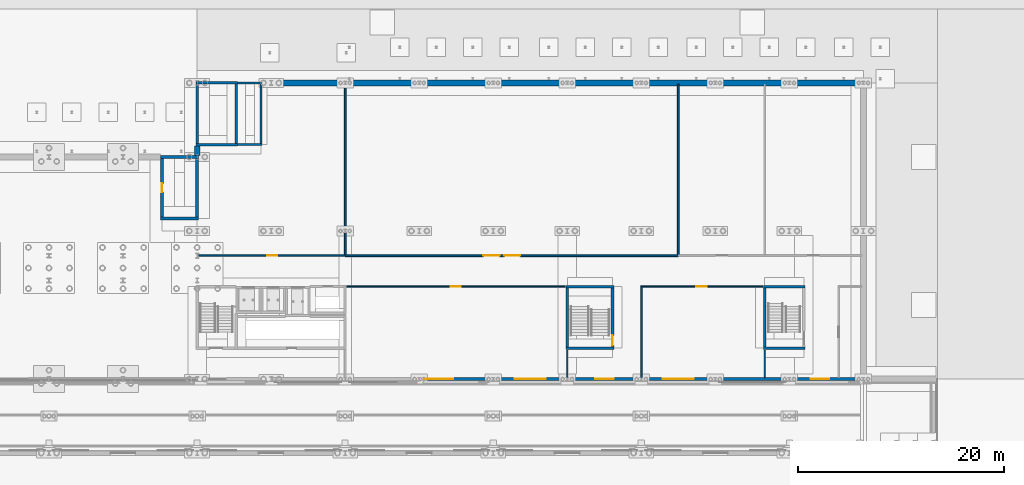
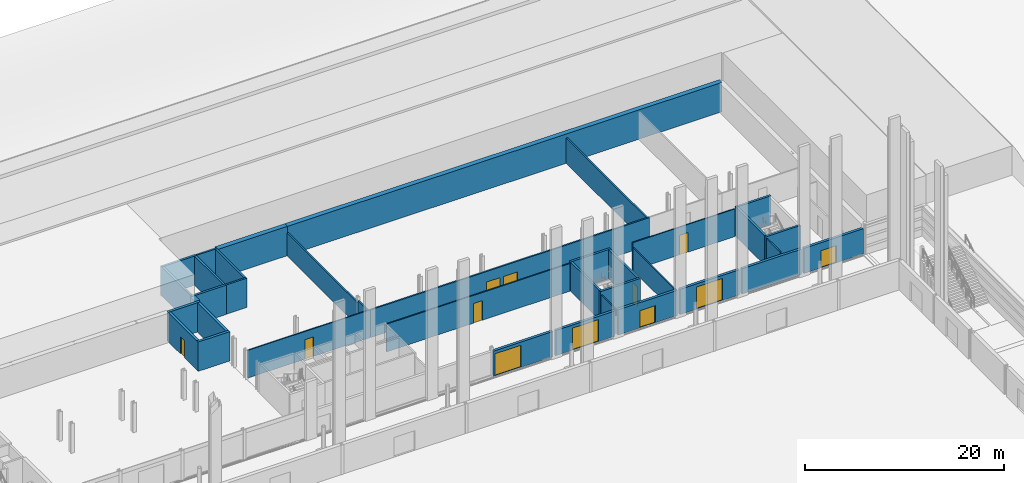
# One storey, part 91 of 148: 37 walls, 12 doors, 12 openings.
"""IFC4 building model written with IfcOpenShell, lengths in metres."""

import ifcopenshell
import ifcopenshell.guid

model = None  # the IFC model being written
_history = None  # IfcOwnerHistory: only IFC2X3 demands one
_inside = {}  # id of a spatial element -> (the spatial element, [elements in it])
_under = {}  # id of a project, library or spatial element -> (it, [spatial elements below it])
_declared = {}  # id of a project -> (the project, [libraries it declares])
_typed = {}  # id of a type object -> (the type object, [elements of that type])
_made_of = {}  # id of a material, layer set ... -> (it, [elements and type objects made of it])


def new_model(schema):
    """Start an empty IFC model of exactly this schema.

    Asked for "IFC4X3", IfcOpenShell would pick the latest addendum, in which some entities
    have other attributes; the version numbers below select the first issue.
    IFC2X3 requires an IfcOwnerHistory on every rooted entity: one is made here for all.
    """
    global model, _history
    if schema == "IFC4X3":
        model = ifcopenshell.file(schema_version=(4, 3, 0, 0))
    else:
        model = ifcopenshell.file(schema=schema)
    _inside.clear()
    _under.clear()
    _declared.clear()
    _typed.clear()
    _made_of.clear()
    _history = None
    if model.schema == "IFC2X3":
        org = make("IfcOrganization", Name="unknown")
        user = make(
            "IfcPersonAndOrganization",
            ThePerson=make("IfcPerson", FamilyName="unknown"),
            TheOrganization=org,
        )
        app = make(
            "IfcApplication",
            ApplicationDeveloper=org,
            Version="unknown",
            ApplicationFullName="unknown",
            ApplicationIdentifier="unknown",
        )
        _history = make(
            "IfcOwnerHistory",
            OwningUser=user,
            OwningApplication=app,
            ChangeAction="ADDED",
            CreationDate=0,
        )
    return model


def make(cls, **values):
    """One entity of the class cls with the attributes given. An attribute that is None is left unset."""
    return model.create_entity(
        cls, **{name: value for name, value in values.items() if value is not None}
    )


def rooted(cls, **values):
    """An entity with a GlobalId (a new one), such as an element, a storey or a relation."""
    return make(cls, GlobalId=ifcopenshell.guid.new(), OwnerHistory=_history, **values)


def si_unit(unit_type, name, prefix=None):
    """IfcSIUnit, for example si_unit("LENGTHUNIT", "METRE", prefix="MILLI")."""
    return make("IfcSIUnit", UnitType=unit_type, Prefix=prefix, Name=name)


def assignment(units):
    """IfcUnitAssignment: the units of a project."""
    return None if units is None else make("IfcUnitAssignment", Units=units)


def point(xyz):
    """IfcCartesianPoint."""
    return None if xyz is None else make("IfcCartesianPoint", Coordinates=xyz)


def direction(xyz):
    """IfcDirection."""
    return None if xyz is None else make("IfcDirection", DirectionRatios=xyz)


def frame(location, z_axis=None, x_axis=None):
    """IfcAxis2Placement3D, a coordinate frame: its origin and axes. An axis left out is left unset."""
    return make(
        "IfcAxis2Placement3D",
        Location=point(location),
        Axis=direction(z_axis),
        RefDirection=direction(x_axis),
    )


def frame_2d(location, x_axis=None):
    """IfcAxis2Placement2D, a coordinate frame in the plane: its origin and x axis."""
    return make(
        "IfcAxis2Placement2D", Location=point(location), RefDirection=direction(x_axis)
    )


def origin():
    """The frame at (0, 0, 0) with its axes left unset."""
    return frame((0.0, 0.0, 0.0))


def place(relative_to, where):
    """IfcLocalPlacement: puts the frame where relative to a parent placement (None: the world)."""
    return make(
        "IfcLocalPlacement", PlacementRelTo=relative_to, RelativePlacement=where
    )


def context(
    kind, dimensions, precision=None, world=None, true_north=None, identifier=None
):
    """IfcGeometricRepresentationContext, for example the 3D "Model" context."""
    return make(
        "IfcGeometricRepresentationContext",
        ContextIdentifier=identifier,
        ContextType=kind,
        CoordinateSpaceDimension=dimensions,
        Precision=precision,
        WorldCoordinateSystem=world,
        TrueNorth=true_north,
    )


def subcontext(parent, identifier, kind, view, scale=None):
    """IfcGeometricRepresentationSubContext, for example "Body" below "Model"."""
    return make(
        "IfcGeometricRepresentationSubContext",
        ContextIdentifier=identifier,
        ContextType=kind,
        ParentContext=parent,
        TargetScale=scale,
        TargetView=view,
    )


def project(units=None, contexts=None):
    """IfcProject with its units and contexts."""
    return rooted(
        "IfcProject",
        Name="project",
        RepresentationContexts=contexts,
        UnitsInContext=assignment(units),
    )


def spatial(cls, under=None, at=None, **own):
    """A site, building, storey or space (cls), placed at a placement, below another one or the project."""
    s = rooted(cls, ObjectPlacement=at, **own)
    if under is not None:
        _under.setdefault(under.id(), (under, []))[1].append(s)
    return s


def profile(cls, at=None, kind="AREA", **sizes):
    """A parametric profile (cls). Its sizes go by their IFC names, for example OverallWidth=200.0."""
    return make(cls, ProfileType=kind, Position=at, **sizes)


def rectangle(**sizes):
    """IfcRectangleProfileDef."""
    return profile("IfcRectangleProfileDef", **sizes)


def extrude(swept, where, along, depth):
    """IfcExtrudedAreaSolid: the profile swept, set in the frame where, extruded along a direction by depth."""
    return make(
        "IfcExtrudedAreaSolid",
        SweptArea=swept,
        Position=where,
        ExtrudedDirection=direction(along),
        Depth=depth,
    )


def shape(context_of_items, identifier, shape_type, items):
    """IfcShapeRepresentation: the items that make up one representation, for example the "Body"."""
    return make(
        "IfcShapeRepresentation",
        ContextOfItems=context_of_items,
        RepresentationIdentifier=identifier,
        RepresentationType=shape_type,
        Items=items,
    )


def material(Name=None, Category=None):
    """IfcMaterial."""
    return make("IfcMaterial", Name=Name, Category=Category)


def layer(
    of_material, thickness, ventilated=None, Name=None, Category=None, Priority=None
):
    """IfcMaterialLayer: one layer of a wall or slab, of a material (None: an air gap)."""
    return make(
        "IfcMaterialLayer",
        Material=of_material,
        LayerThickness=thickness,
        IsVentilated=ventilated,
        Name=Name,
        Category=Category,
        Priority=Priority,
    )


def layer_set(layers, Name=None):
    """IfcMaterialLayerSet."""
    return make("IfcMaterialLayerSet", MaterialLayers=layers, LayerSetName=Name)


def made_of(thing, what):
    """Note that an element or type object is made of a material, layer set ...; save() writes the relation."""
    if what is not None:
        _made_of.setdefault(what.id(), (what, []))[1].append(thing)
    return thing


def type_object(cls, material=None, **own):
    """A type object (cls), such as IfcWallType, which elements share."""
    return made_of(rooted(cls, **own), material)


def element(
    cls,
    number,
    at=None,
    inside=None,
    cuts=None,
    type_object=None,
    material=None,
    context=None,
    identifier="Body",
    shape_type=None,
    held_by="IfcProductDefinitionShape",
    body=None,
    shapes=None,
    **own,
):
    """One element of the class cls, such as IfcWall. Its Tag is "e" and its number.

    at: its placement. inside: the storey or other place that contains it. cuts: it is an
    opening in that element (IfcRelVoidsElement). A single representation is given by context,
    identifier, shape_type and body (its items); several are given by shapes. held_by: the class
    of the entity that holds the representations. save() writes the other relations.
    """
    e = rooted(cls, Tag="e%d" % number, ObjectPlacement=at, **own)
    if body is not None:
        shapes = [shape(context, identifier, shape_type, body)]
    if shapes is not None:
        e.Representation = make(held_by, Representations=shapes)
    if inside is not None:
        _inside.setdefault(inside.id(), (inside, []))[1].append(e)
    if cuts is not None:
        rooted(
            "IfcRelVoidsElement", RelatingBuildingElement=cuts, RelatedOpeningElement=e
        )
    if type_object is not None:
        _typed.setdefault(type_object.id(), (type_object, []))[1].append(e)
    return made_of(e, material)


def fill(opening, filler):
    """IfcRelFillsElement: the door or window that sits in an opening."""
    return rooted(
        "IfcRelFillsElement",
        RelatingOpeningElement=opening,
        RelatedBuildingElement=filler,
    )


def aggregate(whole, parts):
    """IfcRelAggregates: a whole, such as a stair, and the parts it consists of."""
    return rooted("IfcRelAggregates", RelatingObject=whole, RelatedObjects=parts)


def save(model, path):
    """Write the relations noted so far, then the file.

    IfcRelAggregates (storeys below a building ...), IfcRelContainedInSpatialStructure (elements
    in a storey), IfcRelDefinesByType, IfcRelAssociatesMaterial and IfcRelDeclares: one each for
    every whole, place, type object, material and project.
    """
    for whole, parts in _under.values():
        aggregate(whole, parts)
    for where, things in _inside.values():
        rooted(
            "IfcRelContainedInSpatialStructure",
            RelatedElements=things,
            RelatingStructure=where,
        )
    for kind, things in _typed.values():
        rooted("IfcRelDefinesByType", RelatedObjects=things, RelatingType=kind)
    for what, things in _made_of.values():
        rooted("IfcRelAssociatesMaterial", RelatedObjects=things, RelatingMaterial=what)
    for by, libraries in _declared.values():
        rooted("IfcRelDeclares", RelatingContext=by, RelatedDefinitions=libraries)
    model.write(path)


model = new_model("IFC4")

# Units and contexts
model_context = context("Model", 3, precision=1e-05, world=origin(), true_north=direction((0.0, 1.0)))
body_context = subcontext(model_context, "Body", "Model", "MODEL_VIEW")
ifc_project = project(units=[si_unit("LENGTHUNIT", "METRE"), si_unit("AREAUNIT", "SQUARE_METRE"), si_unit("VOLUMEUNIT", "CUBIC_METRE"), si_unit("PLANEANGLEUNIT", "RADIAN"), si_unit("MASSUNIT", "GRAM", prefix="KILO")], contexts=[model_context])

# Site, building, storey
site_placement = place(None, origin())
site = spatial("IfcSite", under=ifc_project, at=site_placement, CompositionType="ELEMENT")
building_placement = place(site_placement, origin())
building = spatial("IfcBuilding", under=site, at=building_placement, Name="Kupolbacken Congress Centre", CompositionType="ELEMENT")
storey_placement = place(building_placement, origin())
storey = spatial("IfcBuildingStorey", under=building, at=storey_placement, Name="L00", CompositionType="ELEMENT", Elevation=0.0)

# Wall, opening, door
ifc_material_1 = material(Name="Limestone", Category="masonry")
ifc_layer_1 = layer(ifc_material_1, 0.06005859375)
ifc_material_2 = material(Name="Air cavity", Category="air")
ifc_layer_2 = layer(ifc_material_2, 0.0400390625, ventilated=True)
ifc_material_3 = material(Name="Mineral wool", Category="insulation")
ifc_layer_3 = layer(ifc_material_3, 0.14990234375)
ifc_material_4 = material(Name="Steel studs", Category="metal")
ifc_layer_4 = layer(ifc_material_4, 0.050048828125)
ifc_layer_set_1 = layer_set([ifc_layer_1, ifc_layer_2, ifc_layer_3, ifc_layer_4], Name="Limestone / Mineral wool / Steel studs")
wall_type_1 = type_object("IfcWallType", Name="EW01 external cavity wall 300", PredefinedType="SOLIDWALL", material=ifc_layer_set_1)
wall_1_placement = place(storey_placement, frame((158.550048828125, 122.39990234375, 0.0), z_axis=(0.0, 0.0, 1.0), x_axis=(1.0, 0.0, 0.0)))
wall_1 = element("IfcWall", 1, at=wall_1_placement, inside=storey, type_object=wall_type_1, Name="E/B/S/L00/010", PredefinedType="SOLIDWALL", context=body_context, shape_type="SweptSolid", body=[
    extrude(rectangle(XDim=6.89990234375, YDim=0.300048828125, at=frame_2d((3.449951171875, 0.0))), origin(), (0.0, 0.0, 1.0), 3.10009765625),
])
opening_1_placement = place(wall_1_placement, frame((0.14990234375, 0.0, 0.014892578125)))
opening_1 = element("IfcOpeningElement", 2, at=opening_1_placement, cuts=wall_1, Name="Opening D19", PredefinedType="OPENING", context=body_context, shape_type="SweptSolid", body=[
    extrude(rectangle(XDim=3.0, YDim=2.699951171875, at=frame_2d((1.5, 1.35009765625))), frame((0.0, 0.159912109375, 0.0), z_axis=(0.0, -1.0, 0.0), x_axis=(1.0, 0.0, 0.0)), (0.0, 0.0, 1.0), 0.320068359375),
])
ifc_material_5 = material(Name="Timber door leaf", Category="wood")
door_type_1 = type_object("IfcDoorType", Name="D19 door 2700x2700", OperationType="DOUBLE_DOOR_SINGLE_SWING", PredefinedType="DOOR", material=ifc_material_5)
door_1_placement = place(opening_1_placement, frame((3.0, 0.0, 0.0), z_axis=(0.0, 0.0, 1.0), x_axis=(-1.0, 0.0, 0.0)))
door_1 = element("IfcDoor", 3, at=door_1_placement, inside=storey, type_object=door_type_1, Name="Kitchen delivery door K1", OperationType="DOUBLE_DOOR_SINGLE_SWING", OverallHeight=2.699951171875, OverallWidth=3.0, PredefinedType="DOOR", context=body_context, shape_type="SweptSolid", body=[
    extrude(rectangle(XDim=3.0, YDim=2.699951171875, at=frame_2d((1.5, 1.35009765625))), frame((0.0, 0.02490234375, 0.0), z_axis=(0.0, -1.0, 0.0), x_axis=(1.0, 0.0, 0.0)), (0.0, 0.0, 1.0), 0.050048828125),
])
fill(opening_1, door_1)

wall_2_placement = place(storey_placement, frame((165.75, 122.39990234375, 0.0), z_axis=(0.0, 0.0, 1.0), x_axis=(1.0, 0.0, 0.0)))
wall_2 = element("IfcWall", 4, at=wall_2_placement, inside=storey, type_object=wall_type_1, Name="E/B/S/L00/011", PredefinedType="SOLIDWALL", context=body_context, shape_type="SweptSolid", body=[
    extrude(rectangle(XDim=6.89990234375, YDim=0.300048828125, at=frame_2d((3.449951171875, 0.0))), origin(), (0.0, 0.0, 1.0), 3.10009765625),
])
opening_2_placement = place(wall_2_placement, frame((1.949951171875, 0.0, 0.014892578125)))
opening_2 = element("IfcOpeningElement", 5, at=opening_2_placement, cuts=wall_2, Name="Opening D19", PredefinedType="OPENING", context=body_context, shape_type="SweptSolid", body=[
    extrude(rectangle(XDim=3.0, YDim=2.699951171875, at=frame_2d((1.5, 1.35009765625))), frame((0.0, 0.159912109375, 0.0), z_axis=(0.0, -1.0, 0.0), x_axis=(1.0, 0.0, 0.0)), (0.0, 0.0, 1.0), 0.320068359375),
])
door_2_placement = place(opening_2_placement, frame((3.0, 0.0, 0.0), z_axis=(0.0, 0.0, 1.0), x_axis=(-1.0, 0.0, 0.0)))
door_2 = element("IfcDoor", 6, at=door_2_placement, inside=storey, type_object=door_type_1, Name="Kitchen delivery door K2", OperationType="DOUBLE_DOOR_SINGLE_SWING", OverallHeight=2.699951171875, OverallWidth=3.0, PredefinedType="DOOR", context=body_context, shape_type="SweptSolid", body=[
    extrude(rectangle(XDim=3.0, YDim=2.699951171875, at=frame_2d((1.5, 1.35009765625))), frame((0.0, 0.02490234375, 0.0), z_axis=(0.0, -1.0, 0.0), x_axis=(1.0, 0.0, 0.0)), (0.0, 0.0, 1.0), 0.050048828125),
])
fill(opening_2, door_2)

wall_3_placement = place(storey_placement, frame((172.949951171875, 122.39990234375, 0.0), z_axis=(0.0, 0.0, 1.0), x_axis=(1.0, 0.0, 0.0)))
wall_3 = element("IfcWall", 7, at=wall_3_placement, inside=storey, type_object=wall_type_1, Name="E/B/S/L00/012", PredefinedType="SOLIDWALL", context=body_context, shape_type="SweptSolid", body=[
    extrude(rectangle(XDim=6.900146484375, YDim=0.300048828125, at=frame_2d((3.4501953125, 0.0))), origin(), (0.0, 0.0, 1.0), 3.10009765625),
])
opening_3_placement = place(wall_3_placement, frame((2.550048828125, 0.0, 0.014892578125)))
opening_3 = element("IfcOpeningElement", 8, at=opening_3_placement, cuts=wall_3, Name="Opening D48", PredefinedType="OPENING", context=body_context, shape_type="SweptSolid", body=[
    extrude(rectangle(XDim=1.800048828125, YDim=2.10009765625, at=frame_2d((0.89990234375, 1.050048828125))), frame((0.0, 0.159912109375, 0.0), z_axis=(0.0, -1.0, 0.0), x_axis=(1.0, 0.0, 0.0)), (0.0, 0.0, 1.0), 0.320068359375),
])
ifc_material_6 = material(Name="Steel fire door leaf", Category="steel")
door_type_2 = type_object("IfcDoorType", Name="D48 stair door 1800x2100 with 15 mm threshold", OperationType="DOUBLE_DOOR_SINGLE_SWING", PredefinedType="DOOR", material=ifc_material_6)
door_3_placement = place(opening_3_placement, frame((1.800048828125, 0.0, 0.0), z_axis=(0.0, 0.0, 1.0), x_axis=(-1.0, 0.0, 0.0)))
door_3 = element("IfcDoor", 9, at=door_3_placement, inside=storey, type_object=door_type_2, Name="Final exit X8", OperationType="DOUBLE_DOOR_SINGLE_SWING", OverallHeight=2.10009765625, OverallWidth=1.800048828125, PredefinedType="DOOR", context=body_context, shape_type="SweptSolid", body=[
    extrude(rectangle(XDim=1.800048828125, YDim=2.10009765625, at=frame_2d((0.89990234375, 1.050048828125))), frame((0.0, 0.02490234375, 0.0), z_axis=(0.0, -1.0, 0.0), x_axis=(1.0, 0.0, 0.0)), (0.0, 0.0, 1.0), 0.050048828125),
])
fill(opening_3, door_3)

wall_4_placement = place(storey_placement, frame((180.14990234375, 122.39990234375, 0.0), z_axis=(0.0, 0.0, 1.0), x_axis=(1.0, 0.0, 0.0)))
wall_4 = element("IfcWall", 10, at=wall_4_placement, inside=storey, type_object=wall_type_1, Name="E/B/S/L00/013", PredefinedType="SOLIDWALL", context=body_context, shape_type="SweptSolid", body=[
    extrude(rectangle(XDim=6.900146484375, YDim=0.300048828125, at=frame_2d((3.4501953125, 0.0))), origin(), (0.0, 0.0, 1.0), 3.10009765625),
])
opening_4_placement = place(wall_4_placement, frame((1.949951171875, 0.0, 0.014892578125)))
opening_4 = element("IfcOpeningElement", 11, at=opening_4_placement, cuts=wall_4, Name="Opening D19", PredefinedType="OPENING", context=body_context, shape_type="SweptSolid", body=[
    extrude(rectangle(XDim=3.0, YDim=2.699951171875, at=frame_2d((1.5, 1.35009765625))), frame((0.0, 0.159912109375, 0.0), z_axis=(0.0, -1.0, 0.0), x_axis=(1.0, 0.0, 0.0)), (0.0, 0.0, 1.0), 0.320068359375),
])
door_4_placement = place(opening_4_placement, frame((3.0, 0.0, 0.0), z_axis=(0.0, 0.0, 1.0), x_axis=(-1.0, 0.0, 0.0)))
door_4 = element("IfcDoor", 12, at=door_4_placement, inside=storey, type_object=door_type_1, Name="Kitchen delivery door K3", OperationType="DOUBLE_DOOR_SINGLE_SWING", OverallHeight=2.699951171875, OverallWidth=3.0, PredefinedType="DOOR", context=body_context, shape_type="SweptSolid", body=[
    extrude(rectangle(XDim=3.0, YDim=2.699951171875, at=frame_2d((1.5, 1.35009765625))), frame((0.0, 0.02490234375, 0.0), z_axis=(0.0, -1.0, 0.0), x_axis=(1.0, 0.0, 0.0)), (0.0, 0.0, 1.0), 0.050048828125),
])
fill(opening_4, door_4)

# Wall
wall_5_placement = place(storey_placement, frame((187.35009765625, 122.39990234375, 0.0), z_axis=(0.0, 0.0, 1.0), x_axis=(1.0, 0.0, 0.0)))
element("IfcWall", 13, at=wall_5_placement, inside=storey, type_object=wall_type_1, Name="E/B/S/L00/014", PredefinedType="SOLIDWALL", context=body_context, shape_type="SweptSolid", body=[
    extrude(rectangle(XDim=6.89990234375, YDim=0.300048828125, at=frame_2d((3.449951171875, 0.0))), origin(), (0.0, 0.0, 1.0), 3.10009765625),
])

# Wall, opening, door
wall_6_placement = place(storey_placement, frame((194.550048828125, 122.39990234375, 0.0), z_axis=(0.0, 0.0, 1.0), x_axis=(1.0, 0.0, 0.0)))
wall_6 = element("IfcWall", 14, at=wall_6_placement, inside=storey, type_object=wall_type_1, Name="E/B/S/L00/015", PredefinedType="SOLIDWALL", context=body_context, shape_type="SweptSolid", body=[
    extrude(rectangle(XDim=6.89990234375, YDim=0.300048828125, at=frame_2d((3.449951171875, 0.0))), origin(), (0.0, 0.0, 1.0), 3.10009765625),
])
opening_5_placement = place(wall_6_placement, frame((1.949951171875, 0.0, 0.014892578125)))
opening_5 = element("IfcOpeningElement", 15, at=opening_5_placement, cuts=wall_6, Name="Opening D48", PredefinedType="OPENING", context=body_context, shape_type="SweptSolid", body=[
    extrude(rectangle(XDim=1.800048828125, YDim=2.10009765625, at=frame_2d((0.89990234375, 1.050048828125))), frame((0.0, 0.159912109375, 0.0), z_axis=(0.0, -1.0, 0.0), x_axis=(1.0, 0.0, 0.0)), (0.0, 0.0, 1.0), 0.320068359375),
])
door_5_placement = place(opening_5_placement, frame((1.800048828125, 0.0, 0.0), z_axis=(0.0, 0.0, 1.0), x_axis=(-1.0, 0.0, 0.0)))
door_5 = element("IfcDoor", 16, at=door_5_placement, inside=storey, type_object=door_type_2, Name="Final exit X7", OperationType="DOUBLE_DOOR_SINGLE_SWING", OverallHeight=2.10009765625, OverallWidth=1.800048828125, PredefinedType="DOOR", context=body_context, shape_type="SweptSolid", body=[
    extrude(rectangle(XDim=1.800048828125, YDim=2.10009765625, at=frame_2d((0.89990234375, 1.050048828125))), frame((0.0, 0.02490234375, 0.0), z_axis=(0.0, -1.0, 0.0), x_axis=(1.0, 0.0, 0.0)), (0.0, 0.0, 1.0), 0.050048828125),
])
fill(opening_5, door_5)

# Walls
ifc_material_7 = material(Name="Gypsum board", Category="drywall")
ifc_layer_5 = layer(ifc_material_7, 0.135009765625)
ifc_layer_set_2 = layer_set([ifc_layer_5], Name="Gypsum board")
wall_type_2 = type_object("IfcWallType", Name="P06 compartment wall 135", PredefinedType="PARTITIONING", material=ifc_layer_set_2)
wall_7_placement = place(storey_placement, frame((192.0, 122.550048828125, 0.0), z_axis=(0.0, 0.0, 1.0), x_axis=(0.0, 1.0, 0.0)))
element("IfcWall", 17, at=wall_7_placement, inside=storey, type_object=wall_type_2, Name="PD/L00/W024", PredefinedType="PARTITIONING", context=body_context, shape_type="SweptSolid", body=[
    extrude(rectangle(XDim=2.6650390625, YDim=0.135009765625, at=frame_2d((1.33251953125, 0.0))), origin(), (0.0, 0.0, 1.0), 3.39990234375),
])
wall_8_placement = place(storey_placement, frame((172.800048828125, 122.550048828125, 0.0), z_axis=(0.0, 0.0, 1.0), x_axis=(0.0, 1.0, 0.0)))
element("IfcWall", 18, at=wall_8_placement, inside=storey, type_object=wall_type_2, Name="PD/L00/W026", PredefinedType="PARTITIONING", context=body_context, shape_type="SweptSolid", body=[
    extrude(rectangle(XDim=2.6650390625, YDim=0.135009765625, at=frame_2d((1.33251953125, 0.0))), origin(), (0.0, 0.0, 1.0), 3.198974609375),
])
wall_9_placement = place(storey_placement, frame((180.0, 131.33251953125, 0.0), z_axis=(0.0, 0.0, 1.0), x_axis=(0.0, -1.0, 0.0)))
element("IfcWall", 19, at=wall_9_placement, inside=storey, type_object=wall_type_2, Name="PD/L00/W027", PredefinedType="PARTITIONING", context=body_context, shape_type="SweptSolid", body=[
    extrude(rectangle(XDim=8.782470703125, YDim=0.135009765625, at=frame_2d((4.39111328125, 0.0))), origin(), (0.0, 0.0, 1.0), 2.800048828125),
])

# Wall, opening, door
wall_10_placement = place(storey_placement, frame((136.949951171875, 134.39990234375, 0.0), z_axis=(0.0, 0.0, 1.0), x_axis=(1.0, 0.0, 0.0)))
wall_10 = element("IfcWall", 20, at=wall_10_placement, inside=storey, type_object=wall_type_2, Name="PD/L00/W123", PredefinedType="PARTITIONING", context=body_context, shape_type="SweptSolid", body=[
    extrude(rectangle(XDim=14.25, YDim=0.135009765625, at=frame_2d((7.125, 0.0))), origin(), (0.0, 0.0, 1.0), 3.39990234375),
])
opening_6_placement = place(wall_10_placement, frame((6.64990234375, 0.0, 0.0)))
opening_6 = element("IfcOpeningElement", 21, at=opening_6_placement, cuts=wall_10, Name="Opening 0.G04", PredefinedType="OPENING", context=body_context, shape_type="SweptSolid", body=[
    extrude(rectangle(XDim=1.0, YDim=2.39990234375, at=frame_2d((0.5, 1.199951171875))), frame((0.0, 0.077392578125, 0.0), z_axis=(0.0, -1.0, 0.0), x_axis=(1.0, 0.0, 0.0)), (0.0, 0.0, 1.0), 0.155029296875),
])
ifc_material_8 = material(Name="Steel fire door leaf", Category="steel")
door_type_3 = type_object("IfcDoorType", Name="D8 fire door 1000x2400", OperationType="SINGLE_SWING_LEFT", PredefinedType="DOOR", material=ifc_material_8)
door_6_placement = place(opening_6_placement, origin())
door_6 = element("IfcDoor", 22, at=door_6_placement, inside=storey, type_object=door_type_3, Name="PD/L00/W123/D0G04", OperationType="SINGLE_SWING_LEFT", OverallHeight=2.39990234375, OverallWidth=1.0, PredefinedType="DOOR", context=body_context, shape_type="SweptSolid", body=[
    extrude(rectangle(XDim=1.0, YDim=2.39990234375, at=frame_2d((0.5, 1.199951171875))), frame((0.0, 0.02490234375, 0.0), z_axis=(0.0, -1.0, 0.0), x_axis=(1.0, 0.0, 0.0)), (0.0, 0.0, 1.0), 0.050048828125),
])
fill(opening_6, door_6)

wall_11_placement = place(storey_placement, frame((172.614990234375, 131.39990234375, 0.0), z_axis=(0.0, 0.0, 1.0), x_axis=(-1.0, 0.0, 0.0)))
wall_11 = element("IfcWall", 23, at=wall_11_placement, inside=storey, type_object=wall_type_2, Name="PD/L00/W127", PredefinedType="PARTITIONING", context=body_context, shape_type="SweptSolid", body=[
    extrude(rectangle(XDim=21.2548828125, YDim=0.135009765625, at=frame_2d((10.62744140625, 0.0))), origin(), (0.0, 0.0, 1.0), 3.39990234375),
])
opening_7_placement = place(wall_11_placement, frame((10.14990234375, 0.0, 0.0)))
opening_7 = element("IfcOpeningElement", 24, at=opening_7_placement, cuts=wall_11, Name="Opening 0.B07", PredefinedType="OPENING", context=body_context, shape_type="SweptSolid", body=[
    extrude(rectangle(XDim=1.0, YDim=2.39990234375, at=frame_2d((0.5, 1.199951171875))), frame((0.0, 0.077392578125, 0.0), z_axis=(0.0, -1.0, 0.0), x_axis=(1.0, 0.0, 0.0)), (0.0, 0.0, 1.0), 0.155029296875),
])
door_7_placement = place(opening_7_placement, origin())
door_7 = element("IfcDoor", 25, at=door_7_placement, inside=storey, type_object=door_type_3, Name="PD/L00/W127/D0B07", OperationType="SINGLE_SWING_LEFT", OverallHeight=2.39990234375, OverallWidth=1.0, PredefinedType="DOOR", context=body_context, shape_type="SweptSolid", body=[
    extrude(rectangle(XDim=1.0, YDim=2.39990234375, at=frame_2d((0.5, 1.199951171875))), frame((0.0, 0.02490234375, 0.0), z_axis=(0.0, -1.0, 0.0), x_axis=(1.0, 0.0, 0.0)), (0.0, 0.0, 1.0), 0.050048828125),
])
fill(opening_7, door_7)

wall_12_placement = place(storey_placement, frame((191.81494140625, 131.39990234375, 0.0), z_axis=(0.0, 0.0, 1.0), x_axis=(-1.0, 0.0, 0.0)))
wall_12 = element("IfcWall", 26, at=wall_12_placement, inside=storey, type_object=wall_type_2, Name="PD/L00/W128", PredefinedType="PARTITIONING", context=body_context, shape_type="SweptSolid", body=[
    extrude(rectangle(XDim=11.88232421875, YDim=0.135009765625, at=frame_2d((5.941162109375, 0.0))), origin(), (0.0, 0.0, 1.0), 3.39990234375),
])
opening_8_placement = place(wall_12_placement, frame((5.449951171875, 0.0, 0.0)))
opening_8 = element("IfcOpeningElement", 27, at=opening_8_placement, cuts=wall_12, Name="Opening 0.B08", PredefinedType="OPENING", context=body_context, shape_type="SweptSolid", body=[
    extrude(rectangle(XDim=1.0, YDim=2.39990234375, at=frame_2d((0.5, 1.199951171875))), frame((0.0, 0.077392578125, 0.0), z_axis=(0.0, -1.0, 0.0), x_axis=(1.0, 0.0, 0.0)), (0.0, 0.0, 1.0), 0.155029296875),
])
door_8_placement = place(opening_8_placement, origin())
door_8 = element("IfcDoor", 28, at=door_8_placement, inside=storey, type_object=door_type_3, Name="PD/L00/W128/D0B08", OperationType="SINGLE_SWING_RIGHT", OverallHeight=2.39990234375, OverallWidth=1.0, PredefinedType="DOOR", context=body_context, shape_type="SweptSolid", body=[
    extrude(rectangle(XDim=1.0, YDim=2.39990234375, at=frame_2d((0.5, 1.199951171875))), frame((0.0, 0.02490234375, 0.0), z_axis=(0.0, -1.0, 0.0), x_axis=(1.0, 0.0, 0.0)), (0.0, 0.0, 1.0), 0.050048828125),
])
fill(opening_8, door_8)

# Wall, openings, doors
ifc_material_9 = material(Name="Gypsum board", Category="drywall")
ifc_layer_6 = layer(ifc_material_9, 0.175048828125)
ifc_layer_set_3 = layer_set([ifc_layer_6], Name="Gypsum board")
wall_type_3 = type_object("IfcWallType", Name="P09 partition 175", PredefinedType="PARTITIONING", material=ifc_layer_set_3)
wall_13_placement = place(storey_placement, frame((151.199951171875, 134.39990234375, 0.0), z_axis=(0.0, 0.0, 1.0), x_axis=(1.0, 0.0, 0.0)))
wall_13 = element("IfcWall", 29, at=wall_13_placement, inside=storey, type_object=wall_type_3, Name="PD/L00/W124", PredefinedType="PARTITIONING", context=body_context, shape_type="SweptSolid", body=[
    extrude(rectangle(XDim=32.400146484375, YDim=0.175048828125, at=frame_2d((16.2001953125, 0.0))), origin(), (0.0, 0.0, 1.0), 3.39990234375),
])
opening_9_placement = place(wall_13_placement, frame((15.449951171875, 0.0, 0.0)))
opening_9 = element("IfcOpeningElement", 30, at=opening_9_placement, cuts=wall_13, Name="Opening 0.B03", PredefinedType="OPENING", context=body_context, shape_type="SweptSolid", body=[
    extrude(rectangle(XDim=1.60009765625, YDim=2.10009765625, at=frame_2d((0.800048828125, 1.050048828125))), frame((0.0, 0.097412109375, 0.0), z_axis=(0.0, -1.0, 0.0), x_axis=(1.0, 0.0, 0.0)), (0.0, 0.0, 1.0), 0.195068359375),
])
opening_10_placement = place(wall_13_placement, frame((13.449951171875, 0.0, 0.0)))
opening_10 = element("IfcOpeningElement", 31, at=opening_10_placement, cuts=wall_13, Name="Opening 0.B04", PredefinedType="OPENING", context=body_context, shape_type="SweptSolid", body=[
    extrude(rectangle(XDim=1.60009765625, YDim=2.10009765625, at=frame_2d((0.800048828125, 1.050048828125))), frame((0.0, 0.097412109375, 0.0), z_axis=(0.0, -1.0, 0.0), x_axis=(1.0, 0.0, 0.0)), (0.0, 0.0, 1.0), 0.195068359375),
])
ifc_material_10 = material(Name="Steel fire door leaf", Category="steel")
door_type_4 = type_object("IfcDoorType", Name="D13 fire door 1600x2100", OperationType="DOUBLE_DOOR_SINGLE_SWING", PredefinedType="DOOR", material=ifc_material_10)
door_9_placement = place(opening_9_placement, origin())
door_9 = element("IfcDoor", 32, at=door_9_placement, inside=storey, type_object=door_type_4, Name="PD/L00/W124/D0B03", OperationType="DOUBLE_DOOR_SINGLE_SWING", OverallHeight=2.10009765625, OverallWidth=1.60009765625, PredefinedType="DOOR", context=body_context, shape_type="SweptSolid", body=[
    extrude(rectangle(XDim=1.60009765625, YDim=2.10009765625, at=frame_2d((0.800048828125, 1.050048828125))), frame((0.0, 0.02490234375, 0.0), z_axis=(0.0, -1.0, 0.0), x_axis=(1.0, 0.0, 0.0)), (0.0, 0.0, 1.0), 0.050048828125),
])
fill(opening_9, door_9)
door_10_placement = place(opening_10_placement, origin())
door_10 = element("IfcDoor", 33, at=door_10_placement, inside=storey, type_object=door_type_4, Name="PD/L00/W124/D0B04", OperationType="DOUBLE_DOOR_SINGLE_SWING", OverallHeight=2.10009765625, OverallWidth=1.60009765625, PredefinedType="DOOR", context=body_context, shape_type="SweptSolid", body=[
    extrude(rectangle(XDim=1.60009765625, YDim=2.10009765625, at=frame_2d((0.800048828125, 1.050048828125))), frame((0.0, 0.02490234375, 0.0), z_axis=(0.0, -1.0, 0.0), x_axis=(1.0, 0.0, 0.0)), (0.0, 0.0, 1.0), 0.050048828125),
])
fill(opening_10, door_10)

# Walls
wall_14_placement = place(storey_placement, frame((151.199951171875, 151.050048828125, 0.0), z_axis=(0.0, 0.0, 1.0), x_axis=(0.0, -1.0, 0.0)))
element("IfcWall", 34, at=wall_14_placement, inside=storey, type_object=wall_type_3, Name="PD/L00/W130", PredefinedType="PARTITIONING", context=body_context, shape_type="SweptSolid", body=[
    extrude(rectangle(XDim=14.400146484375, YDim=0.175048828125, at=frame_2d((7.2001953125, 0.0))), origin(), (0.0, 0.0, 1.0), 2.820068359375),
])
wall_15_placement = place(storey_placement, frame((183.60009765625, 151.050048828125, 0.0), z_axis=(0.0, 0.0, 1.0), x_axis=(0.0, -1.0, 0.0)))
element("IfcWall", 35, at=wall_15_placement, inside=storey, type_object=wall_type_3, Name="PD/L00/W131", PredefinedType="PARTITIONING", context=body_context, shape_type="SweptSolid", body=[
    extrude(rectangle(XDim=16.5625, YDim=0.175048828125, at=frame_2d((8.28125, 0.0))), origin(), (0.0, 0.0, 1.0), 3.10009765625),
])
wall_16_placement = place(storey_placement, frame((151.199951171875, 136.64990234375, 0.0), z_axis=(0.0, 0.0, 1.0), x_axis=(0.0, -1.0, 0.0)))
element("IfcWall", 36, at=wall_16_placement, inside=storey, type_object=wall_type_3, Name="PD/L00/W130.h1", PredefinedType="PARTITIONING", context=body_context, shape_type="SweptSolid", body=[
    extrude(rectangle(XDim=2.162353515625, YDim=0.175048828125, at=frame_2d((1.0810546875, 0.0))), origin(), (0.0, 0.0, 1.0), 3.14990234375),
])
ifc_material_11 = material(Name="Concrete C30/37", Category="concrete")
ifc_layer_7 = layer(ifc_material_11, 0.550048828125)
ifc_layer_set_4 = layer_set([ifc_layer_7], Name="Concrete C30/37")
wall_type_4 = type_object("IfcWallType", Name="RW3 retaining wall 550", PredefinedType="SOLIDWALL", material=ifc_layer_set_4)
wall_17_placement = place(storey_placement, frame((151.199951171875, 151.199951171875, 0.0), z_axis=(0.0, 0.0, 1.0), x_axis=(1.0, 0.0, 0.0)))
element("IfcWall", 37, at=wall_17_placement, inside=storey, type_object=wall_type_4, Name="Retaining wall BF02 L00", PredefinedType="SOLIDWALL", context=body_context, shape_type="SweptSolid", body=[
    extrude(rectangle(XDim=50.400146484375, YDim=0.550048828125, at=frame_2d((25.2001953125, 0.0))), origin(), (0.0, 0.0, 1.0), 3.60009765625),
])
wall_18_placement = place(storey_placement, frame((143.10009765625, 151.199951171875, 0.0), z_axis=(0.0, 0.0, 1.0), x_axis=(1.0, 0.0, 0.0)))
element("IfcWall", 38, at=wall_18_placement, inside=storey, type_object=wall_type_4, Name="Retaining wall BF03 L00", PredefinedType="SOLIDWALL", context=body_context, shape_type="SweptSolid", body=[
    extrude(rectangle(XDim=8.099853515625, YDim=0.550048828125, at=frame_2d((4.0498046875, 0.0))), origin(), (0.0, 0.0, 1.0), 3.60009765625),
])
wall_19_placement = place(storey_placement, frame((136.800048828125, 144.14990234375, 0.0), z_axis=(0.0, 0.0, 1.0), x_axis=(0.0, 1.0, 0.0)))
element("IfcWall", 39, at=wall_19_placement, inside=storey, type_object=wall_type_4, Name="Retaining wall BF04 L00", PredefinedType="SOLIDWALL", context=body_context, shape_type="SweptSolid", body=[
    extrude(rectangle(XDim=0.925048828125, YDim=0.550048828125, at=frame_2d((0.46240234375, 0.0))), origin(), (0.0, 0.0, 1.0), 3.60009765625),
])
ifc_material_12 = material(Name="Concrete C40/50", Category="concrete")
ifc_layer_8 = layer(ifc_material_12, 0.199951171875)
ifc_layer_set_5 = layer_set([ifc_layer_8], Name="Concrete C40/50")
wall_type_5 = type_object("IfcWallType", Name="WC1 RC shaft wall 200", PredefinedType="SHEAR", material=ifc_layer_set_5)
wall_20_placement = place(storey_placement, frame((140.72509765625, 145.199951171875, 0.0), z_axis=(0.0, 0.0, 1.0), x_axis=(1.0, 0.0, 0.0)))
element("IfcWall", 40, at=wall_20_placement, inside=storey, type_object=wall_type_5, Name="Shaft wall L00-133", PredefinedType="SHEAR", context=body_context, shape_type="SweptSolid", body=[
    extrude(rectangle(XDim=2.375, YDim=0.199951171875, at=frame_2d((1.1875, 0.0))), origin(), (0.0, 0.0, 1.0), 3.60009765625),
])
wall_21_placement = place(storey_placement, frame((143.0, 145.10009765625, 0.0), z_axis=(0.0, 0.0, 1.0), x_axis=(0.0, 1.0, 0.0)))
element("IfcWall", 41, at=wall_21_placement, inside=storey, type_object=wall_type_5, Name="Shaft wall L00-135", PredefinedType="SHEAR", context=body_context, shape_type="SweptSolid", body=[
    extrude(rectangle(XDim=6.199951171875, YDim=0.199951171875, at=frame_2d((3.10009765625, 0.0))), origin(), (0.0, 0.0, 1.0), 3.60009765625),
])
wall_22_placement = place(storey_placement, frame((143.10009765625, 151.199951171875, 0.0), z_axis=(0.0, 0.0, 1.0), x_axis=(-1.0, 0.0, 0.0)))
element("IfcWall", 42, at=wall_22_placement, inside=storey, type_object=wall_type_5, Name="Shaft wall L00-138", PredefinedType="SHEAR", context=body_context, shape_type="SweptSolid", body=[
    extrude(rectangle(XDim=2.375, YDim=0.199951171875, at=frame_2d((1.1875, 0.0))), origin(), (0.0, 0.0, 1.0), 3.60009765625),
])
ifc_material_13 = material(Name="Concrete C40/50", Category="concrete")
ifc_layer_9 = layer(ifc_material_13, 0.25)
ifc_layer_set_6 = layer_set([ifc_layer_9], Name="Concrete C40/50")
wall_type_6 = type_object("IfcWallType", Name="WC2 RC stair enclosure wall 250", PredefinedType="SHEAR", material=ifc_layer_set_6)
wall_23_placement = place(storey_placement, frame((172.675048828125, 125.39990234375, 0.0), z_axis=(0.0, 0.0, 1.0), x_axis=(1.0, 0.0, 0.0)))
element("IfcWall", 43, at=wall_23_placement, inside=storey, type_object=wall_type_6, Name="Stair enclosure wall L00-086", PredefinedType="SHEAR", context=body_context, shape_type="SweptSolid", body=[
    extrude(rectangle(XDim=4.64990234375, YDim=0.25, at=frame_2d((2.324951171875, 0.0))), origin(), (0.0, 0.0, 1.0), 3.60009765625),
])

# Wall, opening, door
wall_24_placement = place(storey_placement, frame((177.199951171875, 125.27490234375, 0.0), z_axis=(0.0, 0.0, 1.0), x_axis=(0.0, 1.0, 0.0)))
wall_24 = element("IfcWall", 44, at=wall_24_placement, inside=storey, type_object=wall_type_6, Name="Stair enclosure wall L00-087", PredefinedType="SHEAR", context=body_context, shape_type="SweptSolid", body=[
    extrude(rectangle(XDim=6.25, YDim=0.25, at=frame_2d((3.125, 0.0))), origin(), (0.0, 0.0, 1.0), 3.60009765625),
])
opening_11_placement = place(wall_24_placement, frame((0.375, 0.0, 0.0)))
opening_11 = element("IfcOpeningElement", 45, at=opening_11_placement, cuts=wall_24, Name="Opening 0.B02", PredefinedType="OPENING", context=body_context, shape_type="SweptSolid", body=[
    extrude(rectangle(XDim=1.0, YDim=2.39990234375, at=frame_2d((0.5, 1.199951171875))), frame((0.0, 0.135009765625, 0.0), z_axis=(0.0, -1.0, 0.0), x_axis=(1.0, 0.0, 0.0)), (0.0, 0.0, 1.0), 0.27001953125),
])
door_11_placement = place(opening_11_placement, origin())
door_11 = element("IfcDoor", 46, at=door_11_placement, inside=storey, type_object=door_type_3, Name="S/core/L00/087/D0B02", OperationType="SINGLE_SWING_RIGHT", OverallHeight=2.39990234375, OverallWidth=1.0, PredefinedType="DOOR", context=body_context, shape_type="SweptSolid", body=[
    extrude(rectangle(XDim=1.0, YDim=2.39990234375, at=frame_2d((0.5, 1.199951171875))), frame((0.0, 0.02490234375, 0.0), z_axis=(0.0, -1.0, 0.0), x_axis=(1.0, 0.0, 0.0)), (0.0, 0.0, 1.0), 0.050048828125),
])
fill(opening_11, door_11)

# Walls
wall_25_placement = place(storey_placement, frame((191.875, 125.39990234375, 0.0), z_axis=(0.0, 0.0, 1.0), x_axis=(1.0, 0.0, 0.0)))
element("IfcWall", 47, at=wall_25_placement, inside=storey, type_object=wall_type_6, Name="Stair enclosure wall L00-088", PredefinedType="SHEAR", context=body_context, shape_type="SweptSolid", body=[
    extrude(rectangle(XDim=4.050048828125, YDim=0.25, at=frame_2d((2.02490234375, 0.0))), origin(), (0.0, 0.0, 1.0), 3.60009765625),
])
wall_26_placement = place(storey_placement, frame((172.800048828125, 131.52490234375, 0.0), z_axis=(0.0, 0.0, 1.0), x_axis=(0.0, -1.0, 0.0)))
element("IfcWall", 48, at=wall_26_placement, inside=storey, type_object=wall_type_6, Name="Stair enclosure wall L00-104", PredefinedType="SHEAR", context=body_context, shape_type="SweptSolid", body=[
    extrude(rectangle(XDim=6.25, YDim=0.25, at=frame_2d((3.125, 0.0))), origin(), (0.0, 0.0, 1.0), 3.60009765625),
])
wall_27_placement = place(storey_placement, frame((177.324951171875, 131.39990234375, 0.0), z_axis=(0.0, 0.0, 1.0), x_axis=(-1.0, 0.0, 0.0)))
element("IfcWall", 49, at=wall_27_placement, inside=storey, type_object=wall_type_6, Name="Stair enclosure wall L00-105", PredefinedType="SHEAR", context=body_context, shape_type="SweptSolid", body=[
    extrude(rectangle(XDim=4.64990234375, YDim=0.25, at=frame_2d((2.324951171875, 0.0))), origin(), (0.0, 0.0, 1.0), 3.60009765625),
])
wall_28_placement = place(storey_placement, frame((192.0, 131.52490234375, 0.0), z_axis=(0.0, 0.0, 1.0), x_axis=(0.0, -1.0, 0.0)))
element("IfcWall", 50, at=wall_28_placement, inside=storey, type_object=wall_type_6, Name="Stair enclosure wall L00-106", PredefinedType="SHEAR", context=body_context, shape_type="SweptSolid", body=[
    extrude(rectangle(XDim=6.25, YDim=0.25, at=frame_2d((3.125, 0.0))), origin(), (0.0, 0.0, 1.0), 3.60009765625),
])
for number, where, z_axis, x_axis, name in (
    (51, (195.925048828125, 131.39990234375, 0.0), (0.0, 0.0, 1.0), (-1.0, 0.0, 0.0), "Stair enclosure wall L00-107"),
    (52, (136.675048828125, 145.199951171875, 0.0), (0.0, 0.0, 1.0), (1.0, 0.0, 0.0), "Stair enclosure wall L00-132"),
):
    element("IfcWall", number, at=place(storey_placement, frame(where, z_axis=z_axis, x_axis=x_axis)), inside=storey, type_object=wall_type_6, Name=name, PredefinedType="SHEAR", context=body_context, shape_type="SweptSolid", body=[
        extrude(rectangle(XDim=4.050048828125, YDim=0.25, at=frame_2d((2.02490234375, 0.0))), origin(), (0.0, 0.0, 1.0), 3.60009765625),
    ])
for number, where, z_axis, x_axis, name in (
    (53, (140.60009765625, 145.074951171875, 0.0), (0.0, 0.0, 1.0), (0.0, 1.0, 0.0), "Stair enclosure wall L00-134"),
    (54, (136.800048828125, 151.324951171875, 0.0), (0.0, 0.0, 1.0), (0.0, -1.0, 0.0), "Stair enclosure wall L00-136"),
):
    element("IfcWall", number, at=place(storey_placement, frame(where, z_axis=z_axis, x_axis=x_axis)), inside=storey, type_object=wall_type_6, Name=name, PredefinedType="SHEAR", context=body_context, shape_type="SweptSolid", body=[
        extrude(rectangle(XDim=6.25, YDim=0.25, at=frame_2d((3.125, 0.0))), origin(), (0.0, 0.0, 1.0), 3.60009765625),
    ])
wall_29_placement = place(storey_placement, frame((140.72509765625, 151.199951171875, 0.0), z_axis=(0.0, 0.0, 1.0), x_axis=(-1.0, 0.0, 0.0)))
element("IfcWall", 55, at=wall_29_placement, inside=storey, type_object=wall_type_6, Name="Stair enclosure wall L00-137", PredefinedType="SHEAR", context=body_context, shape_type="SweptSolid", body=[
    extrude(rectangle(XDim=4.050048828125, YDim=0.25, at=frame_2d((2.02490234375, 0.0))), origin(), (0.0, 0.0, 1.0), 3.60009765625),
])
ifc_material_14 = material(Name="Concrete C40/50", Category="concrete")
ifc_layer_10 = layer(ifc_material_14, 0.300048828125)
ifc_layer_set_7 = layer_set([ifc_layer_10], Name="Concrete C40/50")
wall_type_7 = type_object("IfcWallType", Name="WC3 RC core wall 300", PredefinedType="SHEAR", material=ifc_layer_set_7)
wall_30_placement = place(storey_placement, frame((133.25, 138.0, 0.0), z_axis=(0.0, 0.0, 1.0), x_axis=(1.0, 0.0, 0.0)))
element("IfcWall", 56, at=wall_30_placement, inside=storey, type_object=wall_type_7, Name="Core wall L00-122", PredefinedType="SHEAR", context=body_context, shape_type="SweptSolid", body=[
    extrude(rectangle(XDim=3.699951171875, YDim=0.300048828125, at=frame_2d((1.85009765625, 0.0))), origin(), (0.0, 0.0, 1.0), 3.60009765625),
])
wall_31_placement = place(storey_placement, frame((136.800048828125, 137.85009765625, 0.0), z_axis=(0.0, 0.0, 1.0), x_axis=(0.0, 1.0, 0.0)))
element("IfcWall", 57, at=wall_31_placement, inside=storey, type_object=wall_type_7, Name="Core wall L00-123", PredefinedType="SHEAR", context=body_context, shape_type="SweptSolid", body=[
    extrude(rectangle(XDim=6.2998046875, YDim=0.300048828125, at=frame_2d((3.14990234375, 0.0))), origin(), (0.0, 0.0, 1.0), 3.60009765625),
])

# Wall, opening, door
wall_32_placement = place(storey_placement, frame((133.39990234375, 144.14990234375, 0.0), z_axis=(0.0, 0.0, 1.0), x_axis=(0.0, -1.0, 0.0)))
wall_32 = element("IfcWall", 58, at=wall_32_placement, inside=storey, type_object=wall_type_7, Name="Core wall L00-130", PredefinedType="SHEAR", context=body_context, shape_type="SweptSolid", body=[
    extrude(rectangle(XDim=6.2998046875, YDim=0.300048828125, at=frame_2d((3.14990234375, 0.0))), origin(), (0.0, 0.0, 1.0), 3.60009765625),
])
opening_12_placement = place(wall_32_placement, frame((2.72509765625, 0.0, 0.0)))
opening_12 = element("IfcOpeningElement", 59, at=opening_12_placement, cuts=wall_32, Name="Opening D3", PredefinedType="OPENING", context=body_context, shape_type="SweptSolid", body=[
    extrude(rectangle(XDim=0.85009765625, YDim=2.10009765625, at=frame_2d((0.425048828125, 1.050048828125))), frame((0.0, 0.159912109375, 0.0), z_axis=(0.0, -1.0, 0.0), x_axis=(1.0, 0.0, 0.0)), (0.0, 0.0, 1.0), 0.320068359375),
])
ifc_material_15 = material(Name="Steel fire door leaf", Category="steel")
door_type_5 = type_object("IfcDoorType", Name="D3 fire door 850x2100", OperationType="SINGLE_SWING_LEFT", PredefinedType="DOOR", material=ifc_material_15)
door_12_placement = place(opening_12_placement, origin())
door_12 = element("IfcDoor", 60, at=door_12_placement, inside=storey, type_object=door_type_5, Name="S/core/L00/130/D-ST4-D", OperationType="SINGLE_SWING_RIGHT", OverallHeight=2.10009765625, OverallWidth=0.85009765625, PredefinedType="DOOR", context=body_context, shape_type="SweptSolid", body=[
    extrude(rectangle(XDim=0.85009765625, YDim=2.10009765625, at=frame_2d((0.425048828125, 1.050048828125))), frame((0.0, 0.02490234375, 0.0), z_axis=(0.0, -1.0, 0.0), x_axis=(1.0, 0.0, 0.0)), (0.0, 0.0, 1.0), 0.050048828125),
])
fill(opening_12, door_12)

# Wall
wall_33_placement = place(storey_placement, frame((136.949951171875, 144.0, 0.0), z_axis=(0.0, 0.0, 1.0), x_axis=(-1.0, 0.0, 0.0)))
element("IfcWall", 61, at=wall_33_placement, inside=storey, type_object=wall_type_7, Name="Core wall L00-131", PredefinedType="SHEAR", context=body_context, shape_type="SweptSolid", body=[
    extrude(rectangle(XDim=3.699951171875, YDim=0.300048828125, at=frame_2d((1.85009765625, 0.0))), origin(), (0.0, 0.0, 1.0), 3.60009765625),
])

save(model, "model.ifc")
